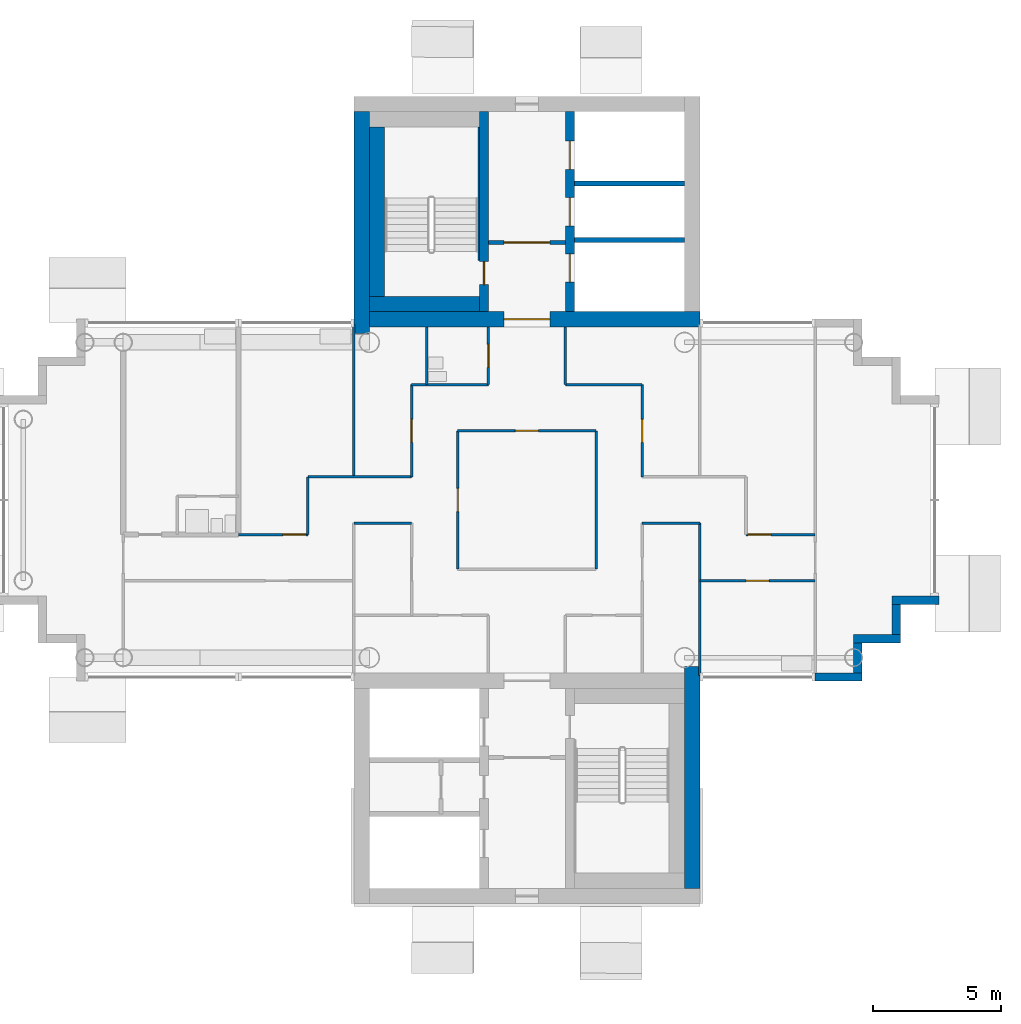
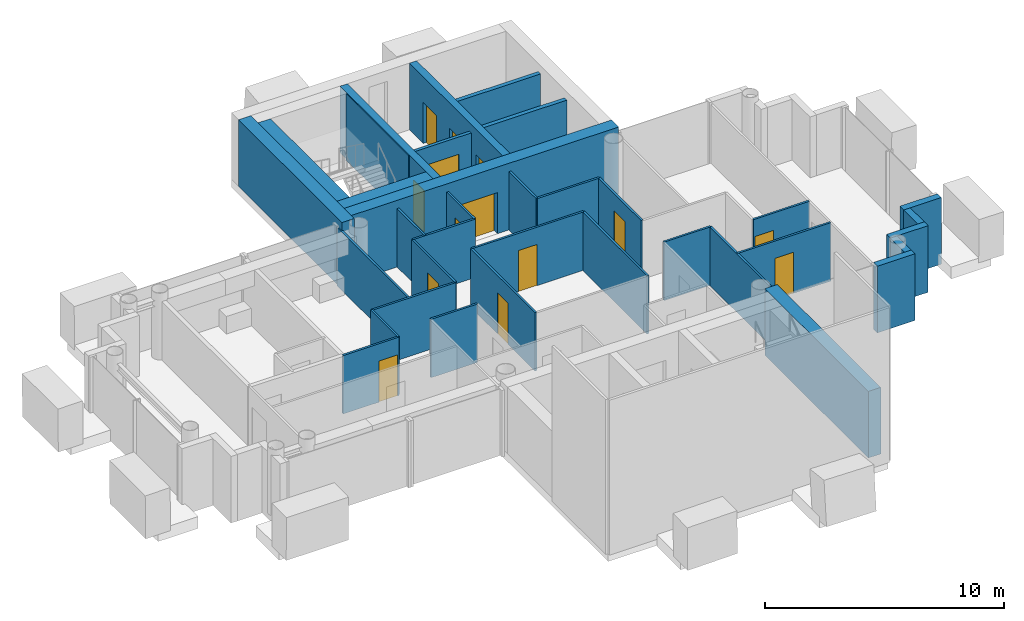
# One storey, part 10 of 18: 35 walls, 14 doors, 14 openings.
"""IFC4 building model written with IfcOpenShell, lengths in metres."""

import ifcopenshell
import ifcopenshell.guid

model = None  # the IFC model being written
_history = None  # IfcOwnerHistory: only IFC2X3 demands one
_inside = {}  # id of a spatial element -> (the spatial element, [elements in it])
_under = {}  # id of a project, library or spatial element -> (it, [spatial elements below it])
_declared = {}  # id of a project -> (the project, [libraries it declares])
_typed = {}  # id of a type object -> (the type object, [elements of that type])
_made_of = {}  # id of a material, layer set ... -> (it, [elements and type objects made of it])


def new_model(schema):
    """Start an empty IFC model of exactly this schema.

    Asked for "IFC4X3", IfcOpenShell would pick the latest addendum, in which some entities
    have other attributes; the version numbers below select the first issue.
    IFC2X3 requires an IfcOwnerHistory on every rooted entity: one is made here for all.
    """
    global model, _history
    if schema == "IFC4X3":
        model = ifcopenshell.file(schema_version=(4, 3, 0, 0))
    else:
        model = ifcopenshell.file(schema=schema)
    _inside.clear()
    _under.clear()
    _declared.clear()
    _typed.clear()
    _made_of.clear()
    _history = None
    if model.schema == "IFC2X3":
        org = make("IfcOrganization", Name="unknown")
        user = make(
            "IfcPersonAndOrganization",
            ThePerson=make("IfcPerson", FamilyName="unknown"),
            TheOrganization=org,
        )
        app = make(
            "IfcApplication",
            ApplicationDeveloper=org,
            Version="unknown",
            ApplicationFullName="unknown",
            ApplicationIdentifier="unknown",
        )
        _history = make(
            "IfcOwnerHistory",
            OwningUser=user,
            OwningApplication=app,
            ChangeAction="ADDED",
            CreationDate=0,
        )
    return model


def make(cls, **values):
    """One entity of the class cls with the attributes given. An attribute that is None is left unset."""
    return model.create_entity(
        cls, **{name: value for name, value in values.items() if value is not None}
    )


def rooted(cls, **values):
    """An entity with a GlobalId (a new one), such as an element, a storey or a relation."""
    return make(cls, GlobalId=ifcopenshell.guid.new(), OwnerHistory=_history, **values)


def si_unit(unit_type, name, prefix=None):
    """IfcSIUnit, for example si_unit("LENGTHUNIT", "METRE", prefix="MILLI")."""
    return make("IfcSIUnit", UnitType=unit_type, Prefix=prefix, Name=name)


def assignment(units):
    """IfcUnitAssignment: the units of a project."""
    return None if units is None else make("IfcUnitAssignment", Units=units)


def point(xyz):
    """IfcCartesianPoint."""
    return None if xyz is None else make("IfcCartesianPoint", Coordinates=xyz)


def direction(xyz):
    """IfcDirection."""
    return None if xyz is None else make("IfcDirection", DirectionRatios=xyz)


def frame(location, z_axis=None, x_axis=None):
    """IfcAxis2Placement3D, a coordinate frame: its origin and axes. An axis left out is left unset."""
    return make(
        "IfcAxis2Placement3D",
        Location=point(location),
        Axis=direction(z_axis),
        RefDirection=direction(x_axis),
    )


def frame_2d(location, x_axis=None):
    """IfcAxis2Placement2D, a coordinate frame in the plane: its origin and x axis."""
    return make(
        "IfcAxis2Placement2D", Location=point(location), RefDirection=direction(x_axis)
    )


def origin():
    """The frame at (0, 0, 0) with its axes left unset."""
    return frame((0.0, 0.0, 0.0))


def place(relative_to, where):
    """IfcLocalPlacement: puts the frame where relative to a parent placement (None: the world)."""
    return make(
        "IfcLocalPlacement", PlacementRelTo=relative_to, RelativePlacement=where
    )


def context(
    kind, dimensions, precision=None, world=None, true_north=None, identifier=None
):
    """IfcGeometricRepresentationContext, for example the 3D "Model" context."""
    return make(
        "IfcGeometricRepresentationContext",
        ContextIdentifier=identifier,
        ContextType=kind,
        CoordinateSpaceDimension=dimensions,
        Precision=precision,
        WorldCoordinateSystem=world,
        TrueNorth=true_north,
    )


def subcontext(parent, identifier, kind, view, scale=None):
    """IfcGeometricRepresentationSubContext, for example "Body" below "Model"."""
    return make(
        "IfcGeometricRepresentationSubContext",
        ContextIdentifier=identifier,
        ContextType=kind,
        ParentContext=parent,
        TargetScale=scale,
        TargetView=view,
    )


def project(units=None, contexts=None):
    """IfcProject with its units and contexts."""
    return rooted(
        "IfcProject",
        Name="project",
        RepresentationContexts=contexts,
        UnitsInContext=assignment(units),
    )


def spatial(cls, under=None, at=None, **own):
    """A site, building, storey or space (cls), placed at a placement, below another one or the project."""
    s = rooted(cls, ObjectPlacement=at, **own)
    if under is not None:
        _under.setdefault(under.id(), (under, []))[1].append(s)
    return s


def profile(cls, at=None, kind="AREA", **sizes):
    """A parametric profile (cls). Its sizes go by their IFC names, for example OverallWidth=200.0."""
    return make(cls, ProfileType=kind, Position=at, **sizes)


def rectangle(**sizes):
    """IfcRectangleProfileDef."""
    return profile("IfcRectangleProfileDef", **sizes)


def extrude(swept, where, along, depth):
    """IfcExtrudedAreaSolid: the profile swept, set in the frame where, extruded along a direction by depth."""
    return make(
        "IfcExtrudedAreaSolid",
        SweptArea=swept,
        Position=where,
        ExtrudedDirection=direction(along),
        Depth=depth,
    )


def shape(context_of_items, identifier, shape_type, items):
    """IfcShapeRepresentation: the items that make up one representation, for example the "Body"."""
    return make(
        "IfcShapeRepresentation",
        ContextOfItems=context_of_items,
        RepresentationIdentifier=identifier,
        RepresentationType=shape_type,
        Items=items,
    )


def material(Name=None, Category=None):
    """IfcMaterial."""
    return make("IfcMaterial", Name=Name, Category=Category)


def layer(
    of_material, thickness, ventilated=None, Name=None, Category=None, Priority=None
):
    """IfcMaterialLayer: one layer of a wall or slab, of a material (None: an air gap)."""
    return make(
        "IfcMaterialLayer",
        Material=of_material,
        LayerThickness=thickness,
        IsVentilated=ventilated,
        Name=Name,
        Category=Category,
        Priority=Priority,
    )


def layer_set(layers, Name=None):
    """IfcMaterialLayerSet."""
    return make("IfcMaterialLayerSet", MaterialLayers=layers, LayerSetName=Name)


def made_of(thing, what):
    """Note that an element or type object is made of a material, layer set ...; save() writes the relation."""
    if what is not None:
        _made_of.setdefault(what.id(), (what, []))[1].append(thing)
    return thing


def type_object(cls, material=None, **own):
    """A type object (cls), such as IfcWallType, which elements share."""
    return made_of(rooted(cls, **own), material)


def element(
    cls,
    number,
    at=None,
    inside=None,
    cuts=None,
    type_object=None,
    material=None,
    context=None,
    identifier="Body",
    shape_type=None,
    held_by="IfcProductDefinitionShape",
    body=None,
    shapes=None,
    **own,
):
    """One element of the class cls, such as IfcWall. Its Tag is "e" and its number.

    at: its placement. inside: the storey or other place that contains it. cuts: it is an
    opening in that element (IfcRelVoidsElement). A single representation is given by context,
    identifier, shape_type and body (its items); several are given by shapes. held_by: the class
    of the entity that holds the representations. save() writes the other relations.
    """
    e = rooted(cls, Tag="e%d" % number, ObjectPlacement=at, **own)
    if body is not None:
        shapes = [shape(context, identifier, shape_type, body)]
    if shapes is not None:
        e.Representation = make(held_by, Representations=shapes)
    if inside is not None:
        _inside.setdefault(inside.id(), (inside, []))[1].append(e)
    if cuts is not None:
        rooted(
            "IfcRelVoidsElement", RelatingBuildingElement=cuts, RelatedOpeningElement=e
        )
    if type_object is not None:
        _typed.setdefault(type_object.id(), (type_object, []))[1].append(e)
    return made_of(e, material)


def fill(opening, filler):
    """IfcRelFillsElement: the door or window that sits in an opening."""
    return rooted(
        "IfcRelFillsElement",
        RelatingOpeningElement=opening,
        RelatedBuildingElement=filler,
    )


def aggregate(whole, parts):
    """IfcRelAggregates: a whole, such as a stair, and the parts it consists of."""
    return rooted("IfcRelAggregates", RelatingObject=whole, RelatedObjects=parts)


def save(model, path):
    """Write the relations noted so far, then the file.

    IfcRelAggregates (storeys below a building ...), IfcRelContainedInSpatialStructure (elements
    in a storey), IfcRelDefinesByType, IfcRelAssociatesMaterial and IfcRelDeclares: one each for
    every whole, place, type object, material and project.
    """
    for whole, parts in _under.values():
        aggregate(whole, parts)
    for where, things in _inside.values():
        rooted(
            "IfcRelContainedInSpatialStructure",
            RelatedElements=things,
            RelatingStructure=where,
        )
    for kind, things in _typed.values():
        rooted("IfcRelDefinesByType", RelatedObjects=things, RelatingType=kind)
    for what, things in _made_of.values():
        rooted("IfcRelAssociatesMaterial", RelatedObjects=things, RelatingMaterial=what)
    for by, libraries in _declared.values():
        rooted("IfcRelDeclares", RelatingContext=by, RelatedDefinitions=libraries)
    model.write(path)


model = new_model("IFC4")

# Units and contexts
model_context = context("Model", 3, precision=1e-05, world=origin(), true_north=direction((0.0, 1.0)))
body_context = subcontext(model_context, "Body", "Model", "MODEL_VIEW")
ifc_project = project(units=[si_unit("LENGTHUNIT", "METRE"), si_unit("AREAUNIT", "SQUARE_METRE"), si_unit("VOLUMEUNIT", "CUBIC_METRE"), si_unit("PLANEANGLEUNIT", "RADIAN"), si_unit("MASSUNIT", "GRAM", prefix="KILO")], contexts=[model_context])

# Site, building, storey
site_placement = place(None, origin())
site = spatial("IfcSite", under=ifc_project, at=site_placement, CompositionType="ELEMENT")
building_placement = place(site_placement, origin())
building = spatial("IfcBuilding", under=site, at=building_placement, Name="Ipe Terrace Towers", CompositionType="ELEMENT")
storey_placement = place(building_placement, frame((0.0, 0.0, 230.0)))
storey = spatial("IfcBuildingStorey", under=building, at=storey_placement, Name="L64", CompositionType="ELEMENT", Elevation=230.0)

# Walls
ifc_material_1 = material(Name="Concrete C40/50 with buff precast cladding", Category="concrete")
ifc_layer_1 = layer(ifc_material_1, 0.320068359375)
ifc_layer_set_1 = layer_set([ifc_layer_1], Name="BUFF CLADDING WALL 320")
wall_type_1 = type_object("IfcWallType", Name="BUFF CLADDING WALL 320", PredefinedType="STANDARD", material=ifc_layer_set_1)
wall_1_placement = place(storey_placement, frame((47.25, -6.909912109375, -0.300048828125), z_axis=(0.0, 0.0, 1.0), x_axis=(1.0, 0.0, 0.0)))
element("IfcWall", 1, at=wall_1_placement, inside=storey, type_object=wall_type_1, Name="T2-W-L64-03a wall", PredefinedType="STANDARD", context=body_context, shape_type="SweptSolid", body=[
    extrude(rectangle(XDim=1.820068359375, YDim=0.320068359375, at=frame_2d((0.91015625, 0.0))), origin(), (0.0, 0.0, 1.0), 3.400146484375),
])
wall_2_placement = place(storey_placement, frame((48.909912109375, -6.75, -0.300048828125), z_axis=(0.0, 0.0, 1.0), x_axis=(0.0, 1.0, 0.0)))
element("IfcWall", 2, at=wall_2_placement, inside=storey, type_object=wall_type_1, Name="T2-W-L64-04a wall", PredefinedType="STANDARD", context=body_context, shape_type="SweptSolid", body=[
    extrude(rectangle(XDim=1.179931640625, YDim=0.320068359375, at=frame_2d((0.58984375, 0.0))), origin(), (0.0, 0.0, 1.0), 3.400146484375),
])
wall_3_placement = place(storey_placement, frame((48.75, -5.409912109375, -0.300048828125), z_axis=(0.0, 0.0, 1.0), x_axis=(1.0, 0.0, 0.0)))
element("IfcWall", 3, at=wall_3_placement, inside=storey, type_object=wall_type_1, Name="T2-W-L64-05a wall", PredefinedType="STANDARD", context=body_context, shape_type="SweptSolid", body=[
    extrude(rectangle(XDim=1.820068359375, YDim=0.320068359375, at=frame_2d((0.91015625, 0.0))), origin(), (0.0, 0.0, 1.0), 3.400146484375),
])
wall_4_placement = place(storey_placement, frame((50.409912109375, -5.25, -0.300048828125), z_axis=(0.0, 0.0, 1.0), x_axis=(0.0, 1.0, 0.0)))
element("IfcWall", 4, at=wall_4_placement, inside=storey, type_object=wall_type_1, Name="T2-W-L64-06a wall", PredefinedType="STANDARD", context=body_context, shape_type="SweptSolid", body=[
    extrude(rectangle(XDim=1.179931640625, YDim=0.320068359375, at=frame_2d((0.58984375, 0.0))), origin(), (0.0, 0.0, 1.0), 3.400146484375),
])
wall_5_placement = place(storey_placement, frame((50.25, -3.909912109375, -0.300048828125), z_axis=(0.0, 0.0, 1.0), x_axis=(1.0, 0.0, 0.0)))
element("IfcWall", 5, at=wall_5_placement, inside=storey, type_object=wall_type_1, Name="T2-W-L64-07a wall", PredefinedType="STANDARD", context=body_context, shape_type="SweptSolid", body=[
    extrude(rectangle(XDim=1.820068359375, YDim=0.320068359375, at=frame_2d((0.91015625, 0.0))), origin(), (0.0, 0.0, 1.0), 3.400146484375),
])

# Wall, opening, door
ifc_material_2 = material(Name="Gypsum board partition", Category="plasterboard")
ifc_layer_2 = layer(ifc_material_2, 0.10009765625)
ifc_layer_set_2 = layer_set([ifc_layer_2], Name="Gypsum board partition 100 mm")
wall_type_2 = type_object("IfcWallType", Name="Gypsum board partition 100 mm", PredefinedType="PARTITIONING", material=ifc_layer_set_2)
wall_6_placement = place(storey_placement, frame((47.25, -3.14990234375, 0.0), z_axis=(0.0, 0.0, 1.0), x_axis=(-1.0, 0.0, 0.0)))
wall_6 = element("IfcWall", 6, at=wall_6_placement, inside=storey, type_object=wall_type_2, Name="Gypsum board partition T2 L64 W03", PredefinedType="PARTITIONING", context=body_context, shape_type="SweptSolid", body=[
    extrude(rectangle(XDim=4.5, YDim=0.10009765625, at=frame_2d((2.25, 0.0))), origin(), (0.0, 0.0, 1.0), 2.97998046875),
])
opening_1_placement = place(wall_6_placement, frame((1.800048828125, 0.0, 0.0)))
opening_1 = element("IfcOpeningElement", 7, at=opening_1_placement, cuts=wall_6, Name="Opening T2-Z4B-16", PredefinedType="OPENING", context=body_context, shape_type="SweptSolid", body=[
    extrude(rectangle(XDim=0.89990234375, YDim=2.10009765625, at=frame_2d((0.449951171875, 1.050048828125))), frame((0.0, 0.06005859375, 0.0), z_axis=(0.0, -1.0, 0.0), x_axis=(1.0, 0.0, 0.0)), (0.0, 0.0, 1.0), 0.1201171875),
])
ifc_material_3 = material(Name="Timber door leaf", Category="wood")
door_type_1 = type_object("IfcDoorType", Name="Lounge door 900 x 2100", OperationType="NOTDEFINED", PredefinedType="DOOR", material=ifc_material_3)
door_1_placement = place(opening_1_placement, origin())
door_1 = element("IfcDoor", 8, at=door_1_placement, inside=storey, type_object=door_type_1, Name="Lounge door T2-Z4B-16", OperationType="SINGLE_SWING_LEFT", OverallHeight=2.10009765625, OverallWidth=0.89990234375, PredefinedType="DOOR", context=body_context, shape_type="SweptSolid", body=[
    extrude(rectangle(XDim=0.89990234375, YDim=2.10009765625, at=frame_2d((0.449951171875, 1.050048828125))), frame((0.0, 0.02490234375, 0.0), z_axis=(0.0, -1.0, 0.0), x_axis=(1.0, 0.0, 0.0)), (0.0, 0.0, 1.0), 0.050048828125),
])
fill(opening_1, door_1)

wall_7_placement = place(storey_placement, frame((47.25, -1.35009765625, 0.0), z_axis=(0.0, 0.0, 1.0), x_axis=(-1.0, 0.0, 0.0)))
wall_7 = element("IfcWall", 9, at=wall_7_placement, inside=storey, type_object=wall_type_2, Name="Gypsum board partition T2 L64 W06", PredefinedType="PARTITIONING", context=body_context, shape_type="SweptSolid", body=[
    extrude(rectangle(XDim=2.699951171875, YDim=0.10009765625, at=frame_2d((1.35009765625, 0.0))), origin(), (0.0, 0.0, 1.0), 2.97998046875),
])
opening_2_placement = place(wall_7_placement, frame((1.72998046875, 0.0, 0.0)))
opening_2 = element("IfcOpeningElement", 10, at=opening_2_placement, cuts=wall_7, Name="Opening T2-Z4B-15", PredefinedType="OPENING", context=body_context, shape_type="SweptSolid", body=[
    extrude(rectangle(XDim=0.89990234375, YDim=2.10009765625, at=frame_2d((0.449951171875, 1.050048828125))), frame((0.0, 0.06005859375, 0.0), z_axis=(0.0, -1.0, 0.0), x_axis=(1.0, 0.0, 0.0)), (0.0, 0.0, 1.0), 0.1201171875),
])
door_2_placement = place(opening_2_placement, origin())
door_2 = element("IfcDoor", 11, at=door_2_placement, inside=storey, type_object=door_type_1, Name="Lounge door T2-Z4B-15", OperationType="SINGLE_SWING_RIGHT", OverallHeight=2.10009765625, OverallWidth=0.89990234375, PredefinedType="DOOR", context=body_context, shape_type="SweptSolid", body=[
    extrude(rectangle(XDim=0.89990234375, YDim=2.10009765625, at=frame_2d((0.449951171875, 1.050048828125))), frame((0.0, 0.02490234375, 0.0), z_axis=(0.0, -1.0, 0.0), x_axis=(1.0, 0.0, 0.0)), (0.0, 0.0, 1.0), 0.050048828125),
])
fill(opening_2, door_2)

wall_8_placement = place(storey_placement, frame((27.449951171875, -1.35009765625, 0.0), z_axis=(0.0, 0.0, 1.0), x_axis=(-1.0, 0.0, 0.0)))
wall_8 = element("IfcWall", 12, at=wall_8_placement, inside=storey, type_object=wall_type_2, Name="Gypsum board partition T2 L64 W07", PredefinedType="PARTITIONING", context=body_context, shape_type="SweptSolid", body=[
    extrude(rectangle(XDim=2.699951171875, YDim=0.10009765625, at=frame_2d((1.35009765625, 0.0))), origin(), (0.0, 0.0, 1.0), 2.97998046875),
])
opening_3_placement = place(wall_8_placement, frame((0.070068359375, 0.0, 0.0)))
opening_3 = element("IfcOpeningElement", 13, at=opening_3_placement, cuts=wall_8, Name="Opening T2-Z4B-11", PredefinedType="OPENING", context=body_context, shape_type="SweptSolid", body=[
    extrude(rectangle(XDim=0.89990234375, YDim=2.10009765625, at=frame_2d((0.449951171875, 1.050048828125))), frame((0.0, 0.06005859375, 0.0), z_axis=(0.0, -1.0, 0.0), x_axis=(1.0, 0.0, 0.0)), (0.0, 0.0, 1.0), 0.1201171875),
])
door_3_placement = place(opening_3_placement, origin())
door_3 = element("IfcDoor", 14, at=door_3_placement, inside=storey, type_object=door_type_1, Name="Lounge door T2-Z4B-11", OperationType="SINGLE_SWING_LEFT", OverallHeight=2.10009765625, OverallWidth=0.89990234375, PredefinedType="DOOR", context=body_context, shape_type="SweptSolid", body=[
    extrude(rectangle(XDim=0.89990234375, YDim=2.10009765625, at=frame_2d((0.449951171875, 1.050048828125))), frame((0.0, 0.02490234375, 0.0), z_axis=(0.0, -1.0, 0.0), x_axis=(1.0, 0.0, 0.0)), (0.0, 0.0, 1.0), 0.050048828125),
])
fill(opening_3, door_3)

# Walls
for number, where, z_axis, x_axis, name in (
    (15, (42.75, -0.89990234375, 0.0), (0.0, 0.0, 1.0), (-1.0, 0.0, 0.0), "Gypsum board partition T2 L64 W09"),
    (16, (31.5, -0.89990234375, 0.0), (0.0, 0.0, 1.0), (-1.0, 0.0, 0.0), "Gypsum board partition T2 L64 W10"),
):
    element("IfcWall", number, at=place(storey_placement, frame(where, z_axis=z_axis, x_axis=x_axis)), inside=storey, type_object=wall_type_2, Name=name, PredefinedType="PARTITIONING", context=body_context, shape_type="SweptSolid", body=[
        extrude(rectangle(XDim=2.25, YDim=0.10009765625, at=frame_2d((1.125, 0.0))), origin(), (0.0, 0.0, 1.0), 2.97998046875),
    ])
wall_9_placement = place(storey_placement, frame((31.5, 0.89990234375, 0.0), z_axis=(0.0, 0.0, 1.0), x_axis=(-1.0, 0.0, 0.0)))
element("IfcWall", 17, at=wall_9_placement, inside=storey, type_object=wall_type_2, Name="Gypsum board partition T2 L64 W13", PredefinedType="PARTITIONING", context=body_context, shape_type="SweptSolid", body=[
    extrude(rectangle(XDim=4.050048828125, YDim=0.10009765625, at=frame_2d((2.02490234375, 0.0))), origin(), (0.0, 0.0, 1.0), 2.97998046875),
])

# Wall, opening, door
wall_10_placement = place(storey_placement, frame((38.699951171875, 2.699951171875, 0.0), z_axis=(0.0, 0.0, 1.0), x_axis=(-1.0, 0.0, 0.0)))
wall_10 = element("IfcWall", 18, at=wall_10_placement, inside=storey, type_object=wall_type_2, Name="Gypsum board partition T2 L64 W14", PredefinedType="PARTITIONING", context=body_context, shape_type="SweptSolid", body=[
    extrude(rectangle(XDim=5.39990234375, YDim=0.10009765625, at=frame_2d((2.699951171875, 0.0))), origin(), (0.0, 0.0, 1.0), 2.97998046875),
])
opening_4_placement = place(wall_10_placement, frame((2.25, 0.0, 0.0)))
opening_4 = element("IfcOpeningElement", 19, at=opening_4_placement, cuts=wall_10, Name="Opening T2-Z4B-02", PredefinedType="OPENING", context=body_context, shape_type="SweptSolid", body=[
    extrude(rectangle(XDim=0.89990234375, YDim=2.10009765625, at=frame_2d((0.449951171875, 1.050048828125))), frame((0.0, 0.06005859375, 0.0), z_axis=(0.0, -1.0, 0.0), x_axis=(1.0, 0.0, 0.0)), (0.0, 0.0, 1.0), 0.1201171875),
])
door_4_placement = place(opening_4_placement, origin())
door_4 = element("IfcDoor", 20, at=door_4_placement, inside=storey, type_object=door_type_1, Name="Lounge door T2-Z4B-02", OperationType="SINGLE_SWING_LEFT", OverallHeight=2.10009765625, OverallWidth=0.89990234375, PredefinedType="DOOR", context=body_context, shape_type="SweptSolid", body=[
    extrude(rectangle(XDim=0.89990234375, YDim=2.10009765625, at=frame_2d((0.449951171875, 1.050048828125))), frame((0.0, 0.02490234375, 0.0), z_axis=(0.0, -1.0, 0.0), x_axis=(1.0, 0.0, 0.0)), (0.0, 0.0, 1.0), 0.050048828125),
])
fill(opening_4, door_4)

# Walls
for number, where, z_axis, x_axis, name in (
    (21, (40.5, 4.5, 0.0), (0.0, 0.0, 1.0), (-1.0, 0.0, 0.0), "Gypsum board partition T2 L64 W15"),
    (22, (34.5, 4.5, 0.0), (0.0, 0.0, 1.0), (-1.0, 0.0, 0.0), "Gypsum board partition T2 L64 W16"),
):
    element("IfcWall", number, at=place(storey_placement, frame(where, z_axis=z_axis, x_axis=x_axis)), inside=storey, type_object=wall_type_2, Name=name, PredefinedType="PARTITIONING", context=body_context, shape_type="SweptSolid", body=[
        extrude(rectangle(XDim=3.0, YDim=0.10009765625, at=frame_2d((1.5, 0.0))), origin(), (0.0, 0.0, 1.0), 2.97998046875),
    ])
wall_11_placement = place(storey_placement, frame((42.75, -6.85009765625, 0.0), z_axis=(0.0, 0.0, 1.0), x_axis=(0.0, 1.0, 0.0)))
element("IfcWall", 23, at=wall_11_placement, inside=storey, type_object=wall_type_2, Name="Gypsum board partition T2 L64 W19", PredefinedType="PARTITIONING", context=body_context, shape_type="SweptSolid", body=[
    extrude(rectangle(XDim=5.9501953125, YDim=0.10009765625, at=frame_2d((2.97509765625, 0.0))), origin(), (0.0, 0.0, 1.0), 2.97998046875),
])

# Wall, opening, door
wall_12_placement = place(storey_placement, frame((40.5, 0.89990234375, 0.0), z_axis=(0.0, 0.0, 1.0), x_axis=(0.0, 1.0, 0.0)))
wall_12 = element("IfcWall", 24, at=wall_12_placement, inside=storey, type_object=wall_type_2, Name="Gypsum board partition T2 L64 W22", PredefinedType="PARTITIONING", context=body_context, shape_type="SweptSolid", body=[
    extrude(rectangle(XDim=3.60009765625, YDim=0.10009765625, at=frame_2d((1.800048828125, 0.0))), origin(), (0.0, 0.0, 1.0), 2.97998046875),
])
opening_5_placement = place(wall_12_placement, frame((1.35009765625, 0.0, 0.0)))
opening_5 = element("IfcOpeningElement", 25, at=opening_5_placement, cuts=wall_12, Name="Opening T2-Z4B-09", PredefinedType="OPENING", context=body_context, shape_type="SweptSolid", body=[
    extrude(rectangle(XDim=0.89990234375, YDim=2.10009765625, at=frame_2d((0.449951171875, 1.050048828125))), frame((0.0, 0.06005859375, 0.0), z_axis=(0.0, -1.0, 0.0), x_axis=(1.0, 0.0, 0.0)), (0.0, 0.0, 1.0), 0.1201171875),
])
door_5_placement = place(opening_5_placement, origin())
door_5 = element("IfcDoor", 26, at=door_5_placement, inside=storey, type_object=door_type_1, Name="Lounge door T2-Z4B-09", OperationType="SINGLE_SWING_LEFT", OverallHeight=2.10009765625, OverallWidth=0.89990234375, PredefinedType="DOOR", context=body_context, shape_type="SweptSolid", body=[
    extrude(rectangle(XDim=0.89990234375, YDim=2.10009765625, at=frame_2d((0.449951171875, 1.050048828125))), frame((0.0, 0.02490234375, 0.0), z_axis=(0.0, -1.0, 0.0), x_axis=(1.0, 0.0, 0.0)), (0.0, 0.0, 1.0), 0.050048828125),
])
fill(opening_5, door_5)

# Walls
wall_13_placement = place(storey_placement, frame((38.699951171875, -2.699951171875, 0.0), z_axis=(0.0, 0.0, 1.0), x_axis=(0.0, 1.0, 0.0)))
element("IfcWall", 27, at=wall_13_placement, inside=storey, type_object=wall_type_2, Name="Gypsum board partition T2 L64 W23", PredefinedType="PARTITIONING", context=body_context, shape_type="SweptSolid", body=[
    extrude(rectangle(XDim=5.39990234375, YDim=0.10009765625, at=frame_2d((2.699951171875, 0.0))), origin(), (0.0, 0.0, 1.0), 2.97998046875),
])
wall_14_placement = place(storey_placement, frame((37.5, 4.5, 0.0), z_axis=(0.0, 0.0, 1.0), x_axis=(0.0, 1.0, 0.0)))
element("IfcWall", 28, at=wall_14_placement, inside=storey, type_object=wall_type_2, Name="Gypsum board partition T2 L64 W25", PredefinedType="PARTITIONING", context=body_context, shape_type="SweptSolid", body=[
    extrude(rectangle(XDim=2.25, YDim=0.10009765625, at=frame_2d((1.125, 0.0))), origin(), (0.0, 0.0, 1.0), 2.97998046875),
])

# Wall, opening, door
wall_15_placement = place(storey_placement, frame((34.5, 4.5, 0.0), z_axis=(0.0, 0.0, 1.0), x_axis=(0.0, 1.0, 0.0)))
wall_15 = element("IfcWall", 29, at=wall_15_placement, inside=storey, type_object=wall_type_2, Name="Gypsum board partition T2 L64 W27", PredefinedType="PARTITIONING", context=body_context, shape_type="SweptSolid", body=[
    extrude(rectangle(XDim=2.25, YDim=0.10009765625, at=frame_2d((1.125, 0.0))), origin(), (0.0, 0.0, 1.0), 2.97998046875),
])
opening_6_placement = place(wall_15_placement, frame((0.675048828125, 0.0, 0.0)))
opening_6 = element("IfcOpeningElement", 30, at=opening_6_placement, cuts=wall_15, Name="Opening T2-Z4B-03", PredefinedType="OPENING", context=body_context, shape_type="SweptSolid", body=[
    extrude(rectangle(XDim=0.89990234375, YDim=2.10009765625, at=frame_2d((0.449951171875, 1.050048828125))), frame((0.0, 0.06005859375, 0.0), z_axis=(0.0, -1.0, 0.0), x_axis=(1.0, 0.0, 0.0)), (0.0, 0.0, 1.0), 0.1201171875),
])
ifc_material_4 = material(Name="Timber door leaf", Category="wood")
door_type_2 = type_object("IfcDoorType", Name="Bathroom door 900 x 2100", OperationType="NOTDEFINED", PredefinedType="DOOR", material=ifc_material_4)
door_6_placement = place(opening_6_placement, origin())
door_6 = element("IfcDoor", 31, at=door_6_placement, inside=storey, type_object=door_type_2, Name="Bathroom door T2-Z4B-03", OperationType="SINGLE_SWING_LEFT", OverallHeight=2.10009765625, OverallWidth=0.89990234375, PredefinedType="DOOR", context=body_context, shape_type="SweptSolid", body=[
    extrude(rectangle(XDim=0.89990234375, YDim=2.10009765625, at=frame_2d((0.449951171875, 1.050048828125))), frame((0.0, 0.02490234375, 0.0), z_axis=(0.0, -1.0, 0.0), x_axis=(1.0, 0.0, 0.0)), (0.0, 0.0, 1.0), 0.050048828125),
])
fill(opening_6, door_6)

wall_16_placement = place(storey_placement, frame((33.300048828125, -2.699951171875, 0.0), z_axis=(0.0, 0.0, 1.0), x_axis=(0.0, 1.0, 0.0)))
wall_16 = element("IfcWall", 32, at=wall_16_placement, inside=storey, type_object=wall_type_2, Name="Gypsum board partition T2 L64 W28", PredefinedType="PARTITIONING", context=body_context, shape_type="SweptSolid", body=[
    extrude(rectangle(XDim=5.39990234375, YDim=0.10009765625, at=frame_2d((2.699951171875, 0.0))), origin(), (0.0, 0.0, 1.0), 2.97998046875),
])
opening_7_placement = place(wall_16_placement, frame((2.25, 0.0, 0.0)))
opening_7 = element("IfcOpeningElement", 33, at=opening_7_placement, cuts=wall_16, Name="Opening T2-Z4B-01", PredefinedType="OPENING", context=body_context, shape_type="SweptSolid", body=[
    extrude(rectangle(XDim=0.89990234375, YDim=2.10009765625, at=frame_2d((0.449951171875, 1.050048828125))), frame((0.0, 0.06005859375, 0.0), z_axis=(0.0, -1.0, 0.0), x_axis=(1.0, 0.0, 0.0)), (0.0, 0.0, 1.0), 0.1201171875),
])
door_7_placement = place(opening_7_placement, origin())
door_7 = element("IfcDoor", 34, at=door_7_placement, inside=storey, type_object=door_type_1, Name="Lounge door T2-Z4B-01", OperationType="SINGLE_SWING_RIGHT", OverallHeight=2.10009765625, OverallWidth=0.89990234375, PredefinedType="DOOR", context=body_context, shape_type="SweptSolid", body=[
    extrude(rectangle(XDim=0.89990234375, YDim=2.10009765625, at=frame_2d((0.449951171875, 1.050048828125))), frame((0.0, 0.02490234375, 0.0), z_axis=(0.0, -1.0, 0.0), x_axis=(1.0, 0.0, 0.0)), (0.0, 0.0, 1.0), 0.050048828125),
])
fill(opening_7, door_7)

# Wall
wall_17_placement = place(storey_placement, frame((32.10009765625, 4.5, 0.0), z_axis=(0.0, 0.0, 1.0), x_axis=(0.0, 1.0, 0.0)))
element("IfcWall", 35, at=wall_17_placement, inside=storey, type_object=wall_type_2, Name="Gypsum board partition T2 L64 W29", PredefinedType="PARTITIONING", context=body_context, shape_type="SweptSolid", body=[
    extrude(rectangle(XDim=2.25, YDim=0.10009765625, at=frame_2d((1.125, 0.0))), origin(), (0.0, 0.0, 1.0), 2.97998046875),
])

# Wall, opening, door
wall_18_placement = place(storey_placement, frame((31.5, 0.89990234375, 0.0), z_axis=(0.0, 0.0, 1.0), x_axis=(0.0, 1.0, 0.0)))
wall_18 = element("IfcWall", 36, at=wall_18_placement, inside=storey, type_object=wall_type_2, Name="Gypsum board partition T2 L64 W31", PredefinedType="PARTITIONING", context=body_context, shape_type="SweptSolid", body=[
    extrude(rectangle(XDim=3.60009765625, YDim=0.10009765625, at=frame_2d((1.800048828125, 0.0))), origin(), (0.0, 0.0, 1.0), 2.97998046875),
])
opening_8_placement = place(wall_18_placement, frame((1.35009765625, 0.0, 0.0)))
opening_8 = element("IfcOpeningElement", 37, at=opening_8_placement, cuts=wall_18, Name="Opening T2-Z4B-04", PredefinedType="OPENING", context=body_context, shape_type="SweptSolid", body=[
    extrude(rectangle(XDim=0.89990234375, YDim=2.10009765625, at=frame_2d((0.449951171875, 1.050048828125))), frame((0.0, 0.06005859375, 0.0), z_axis=(0.0, -1.0, 0.0), x_axis=(1.0, 0.0, 0.0)), (0.0, 0.0, 1.0), 0.1201171875),
])
door_8_placement = place(opening_8_placement, origin())
door_8 = element("IfcDoor", 38, at=door_8_placement, inside=storey, type_object=door_type_1, Name="Lounge door T2-Z4B-04", OperationType="SINGLE_SWING_LEFT", OverallHeight=2.10009765625, OverallWidth=0.89990234375, PredefinedType="DOOR", context=body_context, shape_type="SweptSolid", body=[
    extrude(rectangle(XDim=0.89990234375, YDim=2.10009765625, at=frame_2d((0.449951171875, 1.050048828125))), frame((0.0, 0.02490234375, 0.0), z_axis=(0.0, -1.0, 0.0), x_axis=(1.0, 0.0, 0.0)), (0.0, 0.0, 1.0), 0.050048828125),
])
fill(opening_8, door_8)

# Walls
wall_19_placement = place(storey_placement, frame((29.25, 0.89990234375, 0.0), z_axis=(0.0, 0.0, 1.0), x_axis=(0.0, 1.0, 0.0)))
element("IfcWall", 39, at=wall_19_placement, inside=storey, type_object=wall_type_2, Name="Gypsum board partition T2 L64 W33", PredefinedType="PARTITIONING", context=body_context, shape_type="SweptSolid", body=[
    extrude(rectangle(XDim=5.9501953125, YDim=0.10009765625, at=frame_2d((2.97509765625, 0.0))), origin(), (0.0, 0.0, 1.0), 2.97998046875),
])
wall_20_placement = place(storey_placement, frame((27.449951171875, -1.35009765625, 0.0), z_axis=(0.0, 0.0, 1.0), x_axis=(0.0, 1.0, 0.0)))
element("IfcWall", 40, at=wall_20_placement, inside=storey, type_object=wall_type_2, Name="Gypsum board partition T2 L64 W34", PredefinedType="PARTITIONING", context=body_context, shape_type="SweptSolid", body=[
    extrude(rectangle(XDim=2.25, YDim=0.10009765625, at=frame_2d((1.125, 0.0))), origin(), (0.0, 0.0, 1.0), 2.97998046875),
])

# Wall, opening, door
ifc_material_5 = material(Name="Gypsum board partition", Category="plasterboard")
ifc_layer_3 = layer(ifc_material_5, 0.14990234375)
ifc_layer_set_3 = layer_set([ifc_layer_3], Name="Gypsum board partition 150 mm")
wall_type_3 = type_object("IfcWallType", Name="Gypsum board partition 150 mm", PredefinedType="PARTITIONING", material=ifc_layer_set_3)
wall_21_placement = place(storey_placement, frame((37.5, 10.050048828125, 0.0), z_axis=(0.0, 0.0, 1.0), x_axis=(-1.0, 0.0, 0.0)))
wall_21 = element("IfcWall", 41, at=wall_21_placement, inside=storey, type_object=wall_type_3, Name="Gypsum board partition T2 L64 t2c1-lobby-wall", PredefinedType="PARTITIONING", context=body_context, shape_type="SweptSolid", body=[
    extrude(rectangle(XDim=3.0, YDim=0.14990234375, at=frame_2d((1.5, 0.0))), origin(), (0.0, 0.0, 1.0), 2.97998046875),
])
opening_9_placement = place(wall_21_placement, frame((0.60009765625, 0.0, 0.0)))
opening_9 = element("IfcOpeningElement", 42, at=opening_9_placement, cuts=wall_21, Name="Opening T2C1-VD", PredefinedType="OPENING", context=body_context, shape_type="SweptSolid", body=[
    extrude(rectangle(XDim=1.800048828125, YDim=2.10009765625, at=frame_2d((0.89990234375, 1.050048828125))), frame((0.0, 0.0849609375, 0.0), z_axis=(0.0, -1.0, 0.0), x_axis=(1.0, 0.0, 0.0)), (0.0, 0.0, 1.0), 0.169921875),
])
ifc_material_6 = material(Name="Fire-rated timber door leaf", Category="wood")
door_type_3 = type_object("IfcDoorType", Name="Lobby door 1800 x 2100 FD60", OperationType="NOTDEFINED", PredefinedType="DOOR", material=ifc_material_6)
door_9_placement = place(opening_9_placement, origin())
door_9 = element("IfcDoor", 43, at=door_9_placement, inside=storey, type_object=door_type_3, Name="Lobby door T2C1-VD", OperationType="SINGLE_SWING_LEFT", OverallHeight=2.10009765625, OverallWidth=1.800048828125, PredefinedType="DOOR", context=body_context, shape_type="SweptSolid", body=[
    extrude(rectangle(XDim=1.800048828125, YDim=2.10009765625, at=frame_2d((0.89990234375, 1.050048828125))), frame((0.0, 0.02490234375, 0.0), z_axis=(0.0, -1.0, 0.0), x_axis=(1.0, 0.0, 0.0)), (0.0, 0.0, 1.0), 0.050048828125),
])
fill(opening_9, door_9)

# Walls
ifc_material_7 = material(Name="Gypsum board party wall", Category="plasterboard")
ifc_layer_4 = layer(ifc_material_7, 0.199951171875)
ifc_layer_set_4 = layer_set([ifc_layer_4], Name="Gypsum board party wall 200 mm")
wall_type_4 = type_object("IfcWallType", Name="Gypsum board party wall 200 mm", PredefinedType="SOLIDWALL", material=ifc_layer_set_4)
for number, where, z_axis, x_axis, name in (
    (44, (42.14990234375, 10.14990234375, 0.0), (0.0, 0.0, 1.0), (-1.0, 0.0, 0.0), "Gypsum board party wall T2 L64 t2c1-shaft-div1"),
    (45, (42.14990234375, 12.35009765625, 0.0), (0.0, 0.0, 1.0), (-1.0, 0.0, 0.0), "Gypsum board party wall T2 L64 t2c1-shaft-div2"),
):
    element("IfcWall", number, at=place(storey_placement, frame(where, z_axis=z_axis, x_axis=x_axis)), inside=storey, type_object=wall_type_4, Name=name, PredefinedType="SOLIDWALL", context=body_context, shape_type="SweptSolid", body=[
        extrude(rectangle(XDim=4.2998046875, YDim=0.199951171875, at=frame_2d((2.14990234375, 0.0))), origin(), (0.0, 0.0, 1.0), 2.97998046875),
    ])

# Wall, opening, door
ifc_material_8 = material(Name="Concrete C40/50", Category="concrete")
ifc_layer_5 = layer(ifc_material_8, 0.35009765625)
ifc_layer_set_5 = layer_set([ifc_layer_5], Name="RW350 CORE SPINE WALL 350 C40-50")
wall_type_5 = type_object("IfcWallType", Name="RW350 CORE SPINE WALL 350 C40-50", PredefinedType="SHEAR", material=ifc_layer_set_5)
wall_22_placement = place(storey_placement, frame((34.324951171875, 7.35009765625, 0.0), z_axis=(0.0, 0.0, 1.0), x_axis=(0.0, 1.0, 0.0)))
wall_22 = element("IfcWall", 46, at=wall_22_placement, inside=storey, type_object=wall_type_5, Name="Core spine wall T2-C1-Z4-SW1", PredefinedType="SHEAR", context=body_context, shape_type="SweptSolid", body=[
    extrude(rectangle(XDim=7.7998046875, YDim=0.35009765625, at=frame_2d((3.89990234375, 0.0))), origin(), (0.0, 0.0, 1.0), 3.39990234375),
])
opening_10_placement = place(wall_22_placement, frame((1.050048828125, 0.0, 0.0)))
opening_10 = element("IfcOpeningElement", 47, at=opening_10_placement, cuts=wall_22, Name="Opening T2C1-SD", PredefinedType="OPENING", context=body_context, shape_type="SweptSolid", body=[
    extrude(rectangle(XDim=0.89990234375, YDim=2.10009765625, at=frame_2d((0.449951171875, 1.050048828125))), frame((0.0, 0.18505859375, 0.0), z_axis=(0.0, -1.0, 0.0), x_axis=(1.0, 0.0, 0.0)), (0.0, 0.0, 1.0), 0.3701171875),
])
ifc_material_9 = material(Name="Fire-rated timber door leaf", Category="wood")
door_type_4 = type_object("IfcDoorType", Name="Stair door 900 x 2100 FD60", OperationType="NOTDEFINED", PredefinedType="DOOR", material=ifc_material_9)
door_10_placement = place(opening_10_placement, origin())
door_10 = element("IfcDoor", 48, at=door_10_placement, inside=storey, type_object=door_type_4, Name="Stair door T2C1-SD", OperationType="SINGLE_SWING_LEFT", OverallHeight=2.10009765625, OverallWidth=0.89990234375, PredefinedType="DOOR", context=body_context, shape_type="SweptSolid", body=[
    extrude(rectangle(XDim=0.89990234375, YDim=2.10009765625, at=frame_2d((0.449951171875, 1.050048828125))), frame((0.0, 0.02490234375, 0.0), z_axis=(0.0, -1.0, 0.0), x_axis=(1.0, 0.0, 0.0)), (0.0, 0.0, 1.0), 0.050048828125),
])
fill(opening_10, door_10)

# Wall, openings, doors
wall_23_placement = place(storey_placement, frame((37.675048828125, 7.35009765625, 0.0), z_axis=(0.0, 0.0, 1.0), x_axis=(0.0, 1.0, 0.0)))
wall_23 = element("IfcWall", 49, at=wall_23_placement, inside=storey, type_object=wall_type_5, Name="Core spine wall T2-C1-Z4-SW2", PredefinedType="SHEAR", context=body_context, shape_type="SweptSolid", body=[
    extrude(rectangle(XDim=7.7998046875, YDim=0.35009765625, at=frame_2d((3.89990234375, 0.0))), origin(), (0.0, 0.0, 1.0), 3.39990234375),
])
opening_11_placement = place(wall_23_placement, frame((1.14990234375, 0.0, 0.0)))
opening_11 = element("IfcOpeningElement", 50, at=opening_11_placement, cuts=wall_23, Name="Opening T2C1-LD1", PredefinedType="OPENING", context=body_context, shape_type="SweptSolid", body=[
    extrude(rectangle(XDim=1.10009765625, YDim=2.10009765625, at=frame_2d((0.550048828125, 1.050048828125))), frame((0.0, 0.18505859375, 0.0), z_axis=(0.0, -1.0, 0.0), x_axis=(1.0, 0.0, 0.0)), (0.0, 0.0, 1.0), 0.3701171875),
])
opening_12_placement = place(wall_23_placement, frame((3.35009765625, 0.0, 0.0)))
opening_12 = element("IfcOpeningElement", 51, at=opening_12_placement, cuts=wall_23, Name="Opening T2C1-LD2", PredefinedType="OPENING", context=body_context, shape_type="SweptSolid", body=[
    extrude(rectangle(XDim=1.10009765625, YDim=2.10009765625, at=frame_2d((0.550048828125, 1.050048828125))), frame((0.0, 0.18505859375, 0.0), z_axis=(0.0, -1.0, 0.0), x_axis=(1.0, 0.0, 0.0)), (0.0, 0.0, 1.0), 0.3701171875),
])
opening_13_placement = place(wall_23_placement, frame((5.550048828125, 0.0, 0.0)))
opening_13 = element("IfcOpeningElement", 52, at=opening_13_placement, cuts=wall_23, Name="Opening T2C1-LD3", PredefinedType="OPENING", context=body_context, shape_type="SweptSolid", body=[
    extrude(rectangle(XDim=1.10009765625, YDim=2.10009765625, at=frame_2d((0.550048828125, 1.050048828125))), frame((0.0, 0.18505859375, 0.0), z_axis=(0.0, -1.0, 0.0), x_axis=(1.0, 0.0, 0.0)), (0.0, 0.0, 1.0), 0.3701171875),
])
ifc_material_10 = material(Name="Fire-rated timber door leaf", Category="wood")
door_type_5 = type_object("IfcDoorType", Name="Sliding door 1100 x 2100 FD60", OperationType="SLIDING_TO_LEFT", PredefinedType="DOOR", material=ifc_material_10)
door_11_placement = place(opening_11_placement, origin())
door_11 = element("IfcDoor", 53, at=door_11_placement, inside=storey, type_object=door_type_5, Name="Sliding door T2C1-LD1", OperationType="SLIDING_TO_LEFT", OverallHeight=2.10009765625, OverallWidth=1.10009765625, PredefinedType="DOOR", context=body_context, shape_type="SweptSolid", body=[
    extrude(rectangle(XDim=1.10009765625, YDim=2.10009765625, at=frame_2d((0.550048828125, 1.050048828125))), frame((0.0, 0.02490234375, 0.0), z_axis=(0.0, -1.0, 0.0), x_axis=(1.0, 0.0, 0.0)), (0.0, 0.0, 1.0), 0.050048828125),
])
fill(opening_11, door_11)
door_12_placement = place(opening_12_placement, origin())
door_12 = element("IfcDoor", 54, at=door_12_placement, inside=storey, type_object=door_type_5, Name="Sliding door T2C1-LD2", OperationType="SLIDING_TO_LEFT", OverallHeight=2.10009765625, OverallWidth=1.10009765625, PredefinedType="DOOR", context=body_context, shape_type="SweptSolid", body=[
    extrude(rectangle(XDim=1.10009765625, YDim=2.10009765625, at=frame_2d((0.550048828125, 1.050048828125))), frame((0.0, 0.02490234375, 0.0), z_axis=(0.0, -1.0, 0.0), x_axis=(1.0, 0.0, 0.0)), (0.0, 0.0, 1.0), 0.050048828125),
])
fill(opening_12, door_12)
door_13_placement = place(opening_13_placement, origin())
door_13 = element("IfcDoor", 55, at=door_13_placement, inside=storey, type_object=door_type_5, Name="Sliding door T2C1-LD3", OperationType="SLIDING_TO_LEFT", OverallHeight=2.10009765625, OverallWidth=1.10009765625, PredefinedType="DOOR", context=body_context, shape_type="SweptSolid", body=[
    extrude(rectangle(XDim=1.10009765625, YDim=2.10009765625, at=frame_2d((0.550048828125, 1.050048828125))), frame((0.0, 0.02490234375, 0.0), z_axis=(0.0, -1.0, 0.0), x_axis=(1.0, 0.0, 0.0)), (0.0, 0.0, 1.0), 0.050048828125),
])
fill(opening_13, door_13)

# Walls
ifc_material_11 = material(Name="Concrete C40/50", Category="concrete")
ifc_layer_6 = layer(ifc_material_11, 0.050048828125)
ifc_layer_set_6 = layer_set([ifc_layer_6], Name="RW50 CORE INFILL WALL 50 C40-50")
wall_type_6 = type_object("IfcWallType", Name="RW50 CORE INFILL WALL 50 C40-50", PredefinedType="SHEAR", material=ifc_layer_set_6)
wall_24_placement = place(storey_placement, frame((34.125, 9.35009765625, 0.0), z_axis=(0.0, 0.0, 1.0), x_axis=(0.0, 1.0, 0.0)))
element("IfcWall", 56, at=wall_24_placement, inside=storey, type_object=wall_type_6, Name="Core infill wall T2-C1-spine-b", PredefinedType="SHEAR", context=body_context, shape_type="SweptSolid", body=[
    extrude(rectangle(XDim=5.199951171875, YDim=0.050048828125, at=frame_2d((2.60009765625, 0.0))), origin(), (0.0, 0.0, 1.0), 3.39990234375),
])
ifc_material_12 = material(Name="Concrete C40/50", Category="concrete")
ifc_layer_7 = layer(ifc_material_12, 0.60009765625)
ifc_layer_set_7 = layer_set([ifc_layer_7], Name="RW600 CORE INFILL WALL 600 C40-50")
wall_type_7 = type_object("IfcWallType", Name="RW600 CORE INFILL WALL 600 C40-50", PredefinedType="SHEAR", material=ifc_layer_set_7)
wall_25_placement = place(storey_placement, frame((30.14990234375, 7.949951171875, 0.0), z_axis=(0.0, 0.0, 1.0), x_axis=(0.0, 1.0, 0.0)))
element("IfcWall", 57, at=wall_25_placement, inside=storey, type_object=wall_type_7, Name="Core infill wall T2-C1-back", PredefinedType="SHEAR", context=body_context, shape_type="SweptSolid", body=[
    extrude(rectangle(XDim=6.60009765625, YDim=0.60009765625, at=frame_2d((3.300048828125, 0.0))), origin(), (0.0, 0.0, 1.0), 3.39990234375),
])
wall_26_placement = place(storey_placement, frame((34.14990234375, 7.64990234375, 0.0), z_axis=(0.0, 0.0, 1.0), x_axis=(-1.0, 0.0, 0.0)))
element("IfcWall", 58, at=wall_26_placement, inside=storey, type_object=wall_type_7, Name="Core infill wall T2-C1-near", PredefinedType="SHEAR", context=body_context, shape_type="SweptSolid", body=[
    extrude(rectangle(XDim=4.2998046875, YDim=0.60009765625, at=frame_2d((2.14990234375, 0.0))), origin(), (0.0, 0.0, 1.0), 3.39990234375),
])

# Wall, opening, door
ifc_material_13 = material(Name="Concrete C40/50", Category="concrete")
ifc_layer_8 = layer(ifc_material_13, 0.60009765625)
ifc_layer_set_8 = layer_set([ifc_layer_8], Name="RW600 CORE WALL 600 C40-50")
wall_type_8 = type_object("IfcWallType", Name="RW600 CORE WALL 600 C40-50", PredefinedType="SHEAR", material=ifc_layer_set_8)
wall_27_placement = place(storey_placement, frame((29.85009765625, 7.050048828125, 0.0), z_axis=(0.0, 0.0, 1.0), x_axis=(1.0, 0.0, 0.0)))
wall_27 = element("IfcWall", 59, at=wall_27_placement, inside=storey, type_object=wall_type_8, Name="Core wall T2-C1-Z4-W01", PredefinedType="SHEAR", context=body_context, shape_type="SweptSolid", body=[
    extrude(rectangle(XDim=12.89990234375, YDim=0.60009765625, at=frame_2d((6.449951171875, 0.0))), origin(), (0.0, 0.0, 1.0), 3.39990234375),
])
opening_14_placement = place(wall_27_placement, frame((5.25, 0.0, 0.0)))
opening_14 = element("IfcOpeningElement", 60, at=opening_14_placement, cuts=wall_27, Name="Opening T2C1-ND", PredefinedType="OPENING", context=body_context, shape_type="SweptSolid", body=[
    extrude(rectangle(XDim=1.800048828125, YDim=2.10009765625, at=frame_2d((0.89990234375, 1.050048828125))), frame((0.0, 0.31005859375, 0.0), z_axis=(0.0, -1.0, 0.0), x_axis=(1.0, 0.0, 0.0)), (0.0, 0.0, 1.0), 0.6201171875),
])
ifc_material_14 = material(Name="Fire-rated timber door leaf", Category="wood")
door_type_6 = type_object("IfcDoorType", Name="Fire door 1800 x 2100 FD30S", OperationType="NOTDEFINED", PredefinedType="DOOR", material=ifc_material_14)
door_14_placement = place(opening_14_placement, origin())
door_14 = element("IfcDoor", 61, at=door_14_placement, inside=storey, type_object=door_type_6, Name="Fire door T2C1-ND", OperationType="SINGLE_SWING_LEFT", OverallHeight=2.10009765625, OverallWidth=1.800048828125, PredefinedType="DOOR", context=body_context, shape_type="SweptSolid", body=[
    extrude(rectangle(XDim=1.800048828125, YDim=2.10009765625, at=frame_2d((0.89990234375, 1.050048828125))), frame((0.0, 0.02490234375, 0.0), z_axis=(0.0, -1.0, 0.0), x_axis=(1.0, 0.0, 0.0)), (0.0, 0.0, 1.0), 0.050048828125),
])
fill(opening_14, door_14)

# Walls
for number, where, z_axis, x_axis, name in (
    (62, (29.550048828125, 15.14990234375, 0.0), (0.0, 0.0, 1.0), (0.0, -1.0, 0.0), "Core wall T2-C1-Z4-W04"),
    (63, (42.449951171875, -15.14990234375, 0.0), (0.0, 0.0, 1.0), (0.0, 1.0, 0.0), "Core wall T2-C2-Z4-W02"),
):
    element("IfcWall", number, at=place(storey_placement, frame(where, z_axis=z_axis, x_axis=x_axis)), inside=storey, type_object=wall_type_8, Name=name, PredefinedType="SHEAR", context=body_context, shape_type="SweptSolid", body=[
        extrude(rectangle(XDim=8.64794921875, YDim=0.60009765625, at=frame_2d((4.323974609375, 0.0))), origin(), (0.0, 0.0, 1.0), 3.39990234375),
    ])

save(model, "model.ifc")
